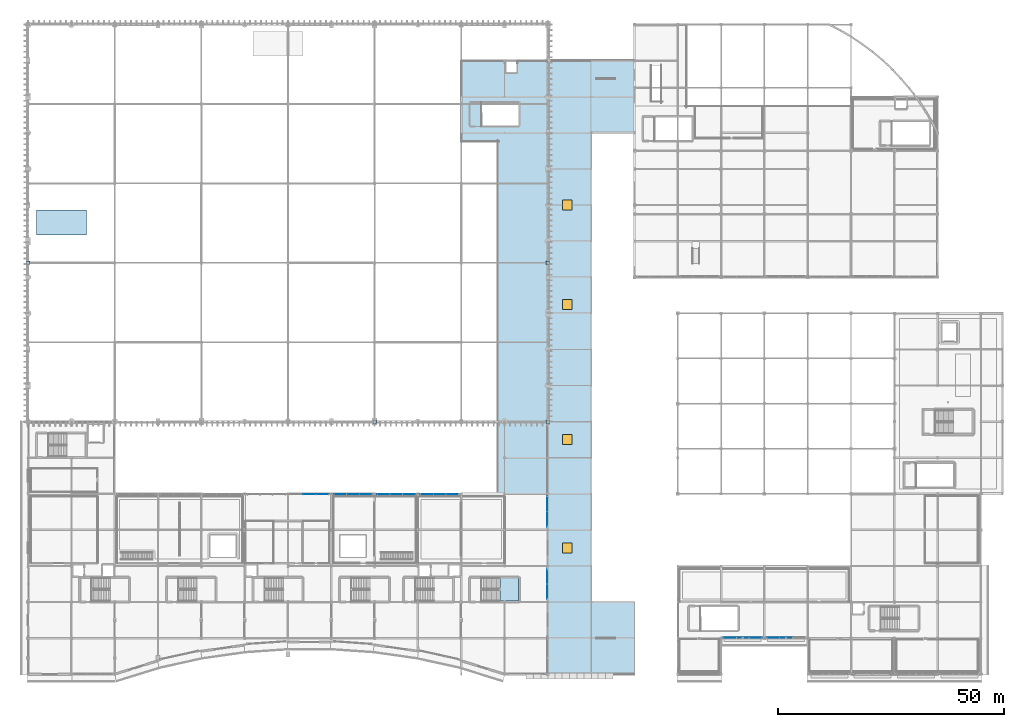
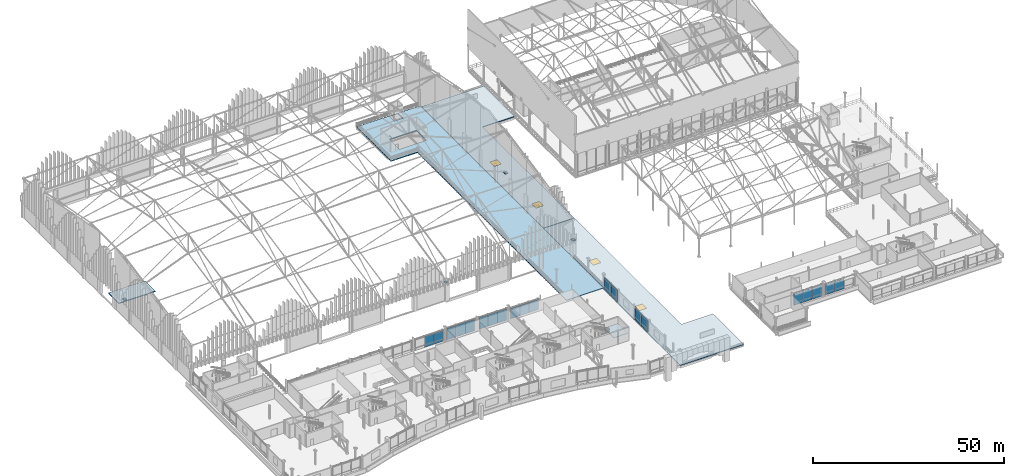
# One storey, part 146 of 193: 24 plates, 5 slabs, 4 windows, 4 openings, 9 elements without a shape of their own.
"""IFC4 building model written with IfcOpenShell, lengths in metres."""

from ifc_helpers import new_model, si_unit, direction, frame, origin, origin_2d, place, context, subcontext, project, spatial, polyline, rectangle, outline, extrude, material, layer, layer_set, type_object, element, fill, aggregate, save


model = new_model("IFC4")

# Units and contexts
model_context = context("Model", 3, precision=1e-05, world=origin(), true_north=direction((0.0, 1.0)))
body_context = subcontext(model_context, "Body", "Model", "MODEL_VIEW")
ifc_project = project(units=[si_unit("LENGTHUNIT", "METRE"), si_unit("AREAUNIT", "SQUARE_METRE"), si_unit("VOLUMEUNIT", "CUBIC_METRE"), si_unit("PLANEANGLEUNIT", "RADIAN"), si_unit("MASSUNIT", "GRAM", prefix="KILO")], contexts=[model_context])

# Site, building, storey
site_placement = place(None, origin())
site = spatial("IfcSite", under=ifc_project, at=site_placement, CompositionType="ELEMENT")
building_placement = place(site_placement, origin())
building = spatial("IfcBuilding", under=site, at=building_placement, Name="Danafjord Basin Convention Centre", CompositionType="ELEMENT")
storey_placement = place(building_placement, frame((0.0, 0.0, 11.39990234375)))
storey = spatial("IfcBuildingStorey", under=building, at=storey_placement, Name="L02", CompositionType="ELEMENT", Elevation=11.39990234375)

# Plates
ifc_material_1 = material(Name="Steel S355", Category="steel")
ifc_layer_1 = layer(ifc_material_1, 0.06494140625)
ifc_layer_set_1 = layer_set([ifc_layer_1], Name="Steel S355")
plate_type_1 = type_object("IfcPlateType", Name="PLT-BP-65", PredefinedType="SHEET", material=ifc_layer_set_1)
for number, where, z_axis, x_axis, name in (
    (1, (0.0, 91.199951171875, 5.667724609375), (0.0, 0.0, 1.0), (1.0, 0.0, 0.0), "V1 space-frame ring bearing plate"),
    (2, (76.800048828125, 56.0, 5.667724609375), (0.0, 0.0, 1.0), (1.0, 0.0, 0.0), "V1 space-frame ring bearing plate"),
    (3, (115.199951171875, 56.0, 5.667724609375), (0.0, 0.0, 1.0), (1.0, 0.0, 0.0), "V1 space-frame ring bearing plate"),
    (4, (115.199951171875, 91.199951171875, 5.667724609375), (0.0, 0.0, 1.0), (1.0, 0.0, 0.0), "V1 space-frame ring bearing plate"),
):
    element("IfcPlate", number, at=place(storey_placement, frame(where, z_axis=z_axis, x_axis=x_axis)), inside=storey, type_object=plate_type_1, Name=name, PredefinedType="SHEET", context=body_context, shape_type="SweptSolid", body=[
        extrude(rectangle(XDim=0.75, YDim=0.75, at=origin_2d()), origin(), (0.0, 0.0, 1.0), 0.06494140625),
    ])

# Curtain wall, plates
ifc_material_2 = material(Name="Anodised aluminium and triple glazing", Category="aluminium")
curtain_wall_type_1 = type_object("IfcCurtainWallType", Name="CW-CW-TERR", PredefinedType="NOTDEFINED", material=ifc_material_2)
curtain_wall_1_placement = place(storey_placement, origin())
curtain_wall_1 = element("IfcCurtainWall", 5, at=curtain_wall_1_placement, inside=storey, type_object=curtain_wall_type_1, Name="L02 CW-TERR unitised curtain wall bay 66", PredefinedType="NOTDEFINED")
ifc_material_3 = material(Name="Triple low-E insulated glazing", Category="glass")
ifc_layer_2 = layer(ifc_material_3, 0.0380859375)
ifc_layer_set_2 = layer_set([ifc_layer_2], Name="Triple low-E insulated glazing")
plate_type_2 = type_object("IfcPlateType", Name="PLT-GP-38", PredefinedType="CURTAIN_PANEL", material=ifc_layer_set_2)
plate_1_placement = place(storey_placement, frame((74.800048828125, 39.8798828125, 0.087890625), z_axis=(0.0, 0.0, 1.0), x_axis=(-1.0, 0.0, 0.0)))
plate_1 = element("IfcPlate", 6, at=plate_1_placement, type_object=plate_type_2, Name="CW-L02-066 vision glazing unit 1", PredefinedType="CURTAIN_PANEL", context=body_context, shape_type="SweptSolid", body=[
    extrude(rectangle(XDim=2.743896484375, YDim=0.0380859375, at=origin_2d()), origin(), (0.0, 0.0, 1.0), 3.674072265625),
])
plate_2_placement = place(storey_placement, frame((72.0, 39.8798828125, 0.087890625), z_axis=(0.0, 0.0, 1.0), x_axis=(-1.0, 0.0, 0.0)))
plate_2 = element("IfcPlate", 7, at=plate_2_placement, type_object=plate_type_2, Name="CW-L02-066 vision glazing unit 2", PredefinedType="CURTAIN_PANEL", context=body_context, shape_type="SweptSolid", body=[
    extrude(rectangle(XDim=2.743896484375, YDim=0.0380859375, at=origin_2d()), origin(), (0.0, 0.0, 1.0), 3.674072265625),
])
plate_3_placement = place(storey_placement, frame((69.199951171875, 39.8798828125, 0.087890625), z_axis=(0.0, 0.0, 1.0), x_axis=(-1.0, 0.0, 0.0)))
plate_3 = element("IfcPlate", 8, at=plate_3_placement, type_object=plate_type_2, Name="CW-L02-066 vision glazing unit 3", PredefinedType="CURTAIN_PANEL", context=body_context, shape_type="SweptSolid", body=[
    extrude(rectangle(XDim=2.743896484375, YDim=0.0380859375, at=origin_2d()), origin(), (0.0, 0.0, 1.0), 3.674072265625),
])
aggregate(curtain_wall_1, [plate_1, plate_2, plate_3])

curtain_wall_2_placement = place(storey_placement, origin())
curtain_wall_2 = element("IfcCurtainWall", 9, at=curtain_wall_2_placement, inside=storey, type_object=curtain_wall_type_1, Name="L02 CW-TERR unitised curtain wall bay 68", PredefinedType="NOTDEFINED")
plate_4_placement = place(storey_placement, frame((94.0, 39.8798828125, 0.088134765625), z_axis=(0.0, 0.0, 1.0), x_axis=(-1.0, 0.0, 0.0)))
plate_4 = element("IfcPlate", 10, at=plate_4_placement, type_object=plate_type_2, Name="CW-L02-068 vision glazing unit 1", PredefinedType="CURTAIN_PANEL", context=body_context, shape_type="SweptSolid", body=[
    extrude(rectangle(XDim=2.743896484375, YDim=0.0380859375, at=origin_2d()), origin(), (0.0, 0.0, 1.0), 3.27392578125),
])
plate_5_placement = place(storey_placement, frame((91.199951171875, 39.8798828125, 0.088134765625), z_axis=(0.0, 0.0, 1.0), x_axis=(-1.0, 0.0, 0.0)))
plate_5 = element("IfcPlate", 11, at=plate_5_placement, type_object=plate_type_2, Name="CW-L02-068 vision glazing unit 2", PredefinedType="CURTAIN_PANEL", context=body_context, shape_type="SweptSolid", body=[
    extrude(rectangle(XDim=2.743896484375, YDim=0.0380859375, at=origin_2d()), origin(), (0.0, 0.0, 1.0), 3.27392578125),
])
plate_6_placement = place(storey_placement, frame((88.39990234375, 39.8798828125, 0.088134765625), z_axis=(0.0, 0.0, 1.0), x_axis=(-1.0, 0.0, 0.0)))
plate_6 = element("IfcPlate", 12, at=plate_6_placement, type_object=plate_type_2, Name="CW-L02-068 vision glazing unit 3", PredefinedType="CURTAIN_PANEL", context=body_context, shape_type="SweptSolid", body=[
    extrude(rectangle(XDim=2.743896484375, YDim=0.0380859375, at=origin_2d()), origin(), (0.0, 0.0, 1.0), 3.27392578125),
])
aggregate(curtain_wall_2, [plate_4, plate_5, plate_6])

curtain_wall_3_placement = place(storey_placement, origin())
curtain_wall_3 = element("IfcCurtainWall", 13, at=curtain_wall_3_placement, inside=storey, type_object=curtain_wall_type_1, Name="L02 CW-TERR unitised curtain wall bay 72", PredefinedType="NOTDEFINED")
plate_7_placement = place(storey_placement, frame((115.080078125, 18.300048828125, 0.087890625), z_axis=(0.0, 0.0, 1.0), x_axis=(0.0, 1.0, 0.0)))
plate_7 = element("IfcPlate", 14, at=plate_7_placement, type_object=plate_type_2, Name="CW-L02-072 vision glazing unit 1", PredefinedType="CURTAIN_PANEL", context=body_context, shape_type="SweptSolid", body=[
    extrude(rectangle(XDim=3.343994140625, YDim=0.0380859375, at=origin_2d()), origin(), (0.0, 0.0, 1.0), 3.674072265625),
])
plate_8_placement = place(storey_placement, frame((115.080078125, 21.699951171875, 0.087890625), z_axis=(0.0, 0.0, 1.0), x_axis=(0.0, 1.0, 0.0)))
plate_8 = element("IfcPlate", 15, at=plate_8_placement, type_object=plate_type_2, Name="CW-L02-072 vision glazing unit 2", PredefinedType="CURTAIN_PANEL", context=body_context, shape_type="SweptSolid", body=[
    extrude(rectangle(XDim=3.343994140625, YDim=0.0380859375, at=origin_2d()), origin(), (0.0, 0.0, 1.0), 3.674072265625),
])
aggregate(curtain_wall_3, [plate_7, plate_8])

curtain_wall_type_2 = type_object("IfcCurtainWallType", Name="CW-CW-HARB", PredefinedType="NOTDEFINED", material=ifc_material_2)
curtain_wall_4_placement = place(storey_placement, origin())
curtain_wall_4 = element("IfcCurtainWall", 16, at=curtain_wall_4_placement, inside=storey, type_object=curtain_wall_type_2, Name="L02 CW-HARB unitised curtain wall bay 148", PredefinedType="NOTDEFINED")
plate_9_placement = place(storey_placement, frame((165.199951171875, 8.1201171875, 0.087890625), z_axis=(0.0, 0.0, 1.0), x_axis=(1.0, 0.0, 0.0)))
plate_9 = element("IfcPlate", 17, at=plate_9_placement, type_object=plate_type_2, Name="CW-L02-148 vision glazing unit 1", PredefinedType="CURTAIN_PANEL", context=body_context, shape_type="SweptSolid", body=[
    extrude(rectangle(XDim=2.743896484375, YDim=0.0380859375, at=origin_2d()), origin(), (0.0, 0.0, 1.0), 3.280029296875),
])
plate_10_placement = place(storey_placement, frame((168.0, 8.1201171875, 0.087890625), z_axis=(0.0, 0.0, 1.0), x_axis=(1.0, 0.0, 0.0)))
plate_10 = element("IfcPlate", 18, at=plate_10_placement, type_object=plate_type_2, Name="CW-L02-148 vision glazing unit 2", PredefinedType="CURTAIN_PANEL", context=body_context, shape_type="SweptSolid", body=[
    extrude(rectangle(XDim=2.743896484375, YDim=0.0380859375, at=origin_2d()), origin(), (0.0, 0.0, 1.0), 3.280029296875),
])
aggregate(curtain_wall_4, [plate_9, plate_10])

curtain_wall_5_placement = place(storey_placement, origin())
curtain_wall_5 = element("IfcCurtainWall", 19, at=curtain_wall_5_placement, inside=storey, type_object=curtain_wall_type_1, Name="L02 CW-TERR unitised curtain wall bay 65", PredefinedType="NOTDEFINED")
ifc_layer_3 = layer(ifc_material_3, 0.048095703125)
ifc_layer_set_3 = layer_set([ifc_layer_3], Name="Triple low-E insulated glazing")
plate_type_3 = type_object("IfcPlateType", Name="PLT-GP-48", PredefinedType="CURTAIN_PANEL", material=ifc_layer_set_3)
plate_11_placement = place(storey_placement, frame((65.199951171875, 39.8798828125, 0.087890625), z_axis=(0.0, 0.0, 1.0), x_axis=(-1.0, 0.0, 0.0)))
plate_11 = element("IfcPlate", 20, at=plate_11_placement, type_object=plate_type_3, Name="CW-L02-065 vision glazing unit 1", PredefinedType="CURTAIN_PANEL", context=body_context, shape_type="SweptSolid", body=[
    extrude(rectangle(XDim=2.743896484375, YDim=0.048095703125, at=origin_2d()), origin(), (0.0, 0.0, 1.0), 3.424072265625),
])
plate_12_placement = place(storey_placement, frame((62.39990234375, 39.8798828125, 0.087890625), z_axis=(0.0, 0.0, 1.0), x_axis=(-1.0, 0.0, 0.0)))
plate_12 = element("IfcPlate", 21, at=plate_12_placement, type_object=plate_type_3, Name="CW-L02-065 vision glazing unit 2", PredefinedType="CURTAIN_PANEL", context=body_context, shape_type="SweptSolid", body=[
    extrude(rectangle(XDim=2.743896484375, YDim=0.048095703125, at=origin_2d()), origin(), (0.0, 0.0, 1.0), 3.424072265625),
])
aggregate(curtain_wall_5, [plate_11, plate_12])

curtain_wall_6_placement = place(storey_placement, origin())
curtain_wall_6 = element("IfcCurtainWall", 22, at=curtain_wall_6_placement, inside=storey, type_object=curtain_wall_type_1, Name="L02 CW-TERR unitised curtain wall bay 67", PredefinedType="NOTDEFINED")
plate_13_placement = place(storey_placement, frame((84.39990234375, 39.8798828125, 0.088134765625), z_axis=(0.0, 0.0, 1.0), x_axis=(-1.0, 0.0, 0.0)))
plate_13 = element("IfcPlate", 23, at=plate_13_placement, type_object=plate_type_3, Name="CW-L02-067 vision glazing unit 1", PredefinedType="CURTAIN_PANEL", context=body_context, shape_type="SweptSolid", body=[
    extrude(rectangle(XDim=2.743896484375, YDim=0.048095703125, at=origin_2d()), origin(), (0.0, 0.0, 1.0), 3.6240234375),
])
plate_14_placement = place(storey_placement, frame((81.60009765625, 39.8798828125, 0.088134765625), z_axis=(0.0, 0.0, 1.0), x_axis=(-1.0, 0.0, 0.0)))
plate_14 = element("IfcPlate", 24, at=plate_14_placement, type_object=plate_type_3, Name="CW-L02-067 vision glazing unit 2", PredefinedType="CURTAIN_PANEL", context=body_context, shape_type="SweptSolid", body=[
    extrude(rectangle(XDim=2.743896484375, YDim=0.048095703125, at=origin_2d()), origin(), (0.0, 0.0, 1.0), 3.6240234375),
])
plate_15_placement = place(storey_placement, frame((78.800048828125, 39.8798828125, 0.088134765625), z_axis=(0.0, 0.0, 1.0), x_axis=(-1.0, 0.0, 0.0)))
plate_15 = element("IfcPlate", 25, at=plate_15_placement, type_object=plate_type_3, Name="CW-L02-067 vision glazing unit 3", PredefinedType="CURTAIN_PANEL", context=body_context, shape_type="SweptSolid", body=[
    extrude(rectangle(XDim=2.743896484375, YDim=0.048095703125, at=origin_2d()), origin(), (0.0, 0.0, 1.0), 3.6240234375),
])
aggregate(curtain_wall_6, [plate_13, plate_14, plate_15])

curtain_wall_7_placement = place(storey_placement, origin())
curtain_wall_7 = element("IfcCurtainWall", 26, at=curtain_wall_7_placement, inside=storey, type_object=curtain_wall_type_1, Name="L02 CW-TERR unitised curtain wall bay 73", PredefinedType="NOTDEFINED")
plate_16_placement = place(storey_placement, frame((115.080078125, 34.300048828125, 0.087890625), z_axis=(0.0, 0.0, 1.0), x_axis=(0.0, 1.0, 0.0)))
plate_16 = element("IfcPlate", 27, at=plate_16_placement, type_object=plate_type_3, Name="CW-L02-073 vision glazing unit 1", PredefinedType="CURTAIN_PANEL", context=body_context, shape_type="SweptSolid", body=[
    extrude(rectangle(XDim=3.343994140625, YDim=0.048095703125, at=origin_2d()), origin(), (0.0, 0.0, 1.0), 3.658935546875),
])
plate_17_placement = place(storey_placement, frame((115.080078125, 37.699951171875, 0.087890625), z_axis=(0.0, 0.0, 1.0), x_axis=(0.0, 1.0, 0.0)))
plate_17 = element("IfcPlate", 28, at=plate_17_placement, type_object=plate_type_3, Name="CW-L02-073 vision glazing unit 2", PredefinedType="CURTAIN_PANEL", context=body_context, shape_type="SweptSolid", body=[
    extrude(rectangle(XDim=3.343994140625, YDim=0.048095703125, at=origin_2d()), origin(), (0.0, 0.0, 1.0), 3.658935546875),
])
aggregate(curtain_wall_7, [plate_16, plate_17])

curtain_wall_8_placement = place(storey_placement, origin())
curtain_wall_8 = element("IfcCurtainWall", 29, at=curtain_wall_8_placement, inside=storey, type_object=curtain_wall_type_2, Name="L02 CW-HARB unitised curtain wall bay 147", PredefinedType="NOTDEFINED")
plate_18_placement = place(storey_placement, frame((155.60009765625, 8.1201171875, 0.088134765625), z_axis=(0.0, 0.0, 1.0), x_axis=(1.0, 0.0, 0.0)))
plate_18 = element("IfcPlate", 30, at=plate_18_placement, type_object=plate_type_3, Name="CW-L02-147 vision glazing unit 1", PredefinedType="CURTAIN_PANEL", context=body_context, shape_type="SweptSolid", body=[
    extrude(rectangle(XDim=2.743896484375, YDim=0.048095703125, at=origin_2d()), origin(), (0.0, 0.0, 1.0), 3.6298828125),
])
plate_19_placement = place(storey_placement, frame((158.39990234375, 8.1201171875, 0.088134765625), z_axis=(0.0, 0.0, 1.0), x_axis=(1.0, 0.0, 0.0)))
plate_19 = element("IfcPlate", 31, at=plate_19_placement, type_object=plate_type_3, Name="CW-L02-147 vision glazing unit 2", PredefinedType="CURTAIN_PANEL", context=body_context, shape_type="SweptSolid", body=[
    extrude(rectangle(XDim=2.743896484375, YDim=0.048095703125, at=origin_2d()), origin(), (0.0, 0.0, 1.0), 3.6298828125),
])
plate_20_placement = place(storey_placement, frame((161.199951171875, 8.1201171875, 0.088134765625), z_axis=(0.0, 0.0, 1.0), x_axis=(1.0, 0.0, 0.0)))
plate_20 = element("IfcPlate", 32, at=plate_20_placement, type_object=plate_type_3, Name="CW-L02-147 vision glazing unit 3", PredefinedType="CURTAIN_PANEL", context=body_context, shape_type="SweptSolid", body=[
    extrude(rectangle(XDim=2.743896484375, YDim=0.048095703125, at=origin_2d()), origin(), (0.0, 0.0, 1.0), 3.6298828125),
])
aggregate(curtain_wall_8, [plate_18, plate_19, plate_20])

# Slab
ifc_material_4 = material(Name="Concrete C35/45", Category="concrete")
ifc_layer_4 = layer(ifc_material_4, 0.22998046875)
ifc_layer_set_4 = layer_set([ifc_layer_4], Name="Concrete C35/45")
slab_type_1 = type_object("IfcSlabType", Name="SLAB-FS-230", PredefinedType="FLOOR", material=ifc_layer_set_4)
slab_1_placement = place(storey_placement, frame((0.0, 0.0, -0.22998046875)))
element("IfcSlab", 33, at=slab_1_placement, inside=storey, type_object=slab_type_1, Name="L02 FS-230 slab SL-L02-V1C5", PredefinedType="FLOOR", context=body_context, shape_type="SweptSolid", body=[
    extrude(outline(polyline([(96.0, 118.0), (96.0, 136.0), (115.199951171875, 136.0), (115.199951171875, 40.0), (104.0, 40.0), (104.0, 118.0), (96.0, 118.0)]), holes=[polyline([(108.72998046875, 121.56005859375), (108.72998046875, 126.699951171875), (100.530029296875, 126.699951171875), (100.530029296875, 121.56005859375), (108.72998046875, 121.56005859375)]), polyline([(108.39990234375, 135.89990234375), (105.800048828125, 135.89990234375), (105.800048828125, 133.300048828125), (108.39990234375, 133.300048828125), (108.39990234375, 135.89990234375)])]), origin(), (0.0, 0.0, 1.0), 0.22998046875),
])

# Stair, slab
ifc_material_5 = material(Name="Concrete C40/50", Category="concrete")
stair_type = type_object("IfcStairType", Name="STAIR-STR-C01", PredefinedType="TWO_STRAIGHT_RUN_STAIR", material=ifc_material_5)
stair_placement = place(storey_placement, origin())
stair = element("IfcStair", 34, at=stair_placement, inside=storey, type_object=stair_type, Name="L02 East Harbour Escape Stair 2", PredefinedType="HALF_TURN_STAIR")
ifc_layer_5 = layer(ifc_material_5, 0.199951171875)
ifc_layer_set_5 = layer_set([ifc_layer_5], Name="Concrete C40/50")
slab_type_2 = type_object("IfcSlabType", Name="SLAB-LAND-200", PredefinedType="LANDING", material=ifc_layer_set_5)
slab_2_placement = place(storey_placement, frame((0.0, 0.0, 2.050048828125)))
slab_2 = element("IfcSlab", 35, at=slab_2_placement, type_object=slab_type_2, Name="ST-04 landing 1", PredefinedType="LANDING", context=body_context, shape_type="SweptSolid", body=[
    extrude(outline(polyline([(104.544921875, 16.2099609375), (108.72998046875, 16.2099609375), (108.72998046875, 21.35009765625), (104.544921875, 21.35009765625), (104.544921875, 16.2099609375)])), origin(), (0.0, 0.0, 1.0), 0.199951171875),
])
aggregate(stair, [slab_2])

# Slab, openings, windows
ifc_layer_6 = layer(ifc_material_4, 0.2451171875)
ifc_layer_set_6 = layer_set([ifc_layer_6], Name="Concrete C35/45")
slab_type_3 = type_object("IfcSlabType", Name="SLAB-RF-240", PredefinedType="ROOF", material=ifc_layer_set_6)
slab_3_placement = place(storey_placement, frame((0.0, 0.0, -0.664794921875)))
slab_3 = element("IfcSlab", 36, at=slab_3_placement, inside=storey, type_object=slab_type_3, Name="L02 gravel maintenance flat roof slab RF-FLAT-V6S", PredefinedType="ROOF", context=body_context, shape_type="SweptSolid", body=[
    extrude(outline(polyline([(115.199951171875, 0.0), (115.199951171875, 72.0), (124.800048828125, 72.0), (124.800048828125, 16.0), (134.39990234375, 16.0), (134.39990234375, 0.0), (115.199951171875, 0.0)])), origin(), (0.0, 0.0, 1.0), 0.244873046875),
])
opening_1_placement = place(slab_3_placement, frame((119.5, 28.0, -0.010009765625)))
opening_1 = element("IfcOpeningElement", 37, at=opening_1_placement, cuts=slab_3, Name="Opening SK-01", PredefinedType="OPENING", context=body_context, shape_type="SweptSolid", body=[
    extrude(rectangle(XDim=2.199951171875, YDim=2.199951171875, at=origin_2d()), origin(), (0.0, 0.0, 1.0), 0.264892578125),
])
opening_2_placement = place(slab_3_placement, frame((119.5, 52.0, -0.010009765625)))
opening_2 = element("IfcOpeningElement", 38, at=opening_2_placement, cuts=slab_3, Name="Opening SK-01", PredefinedType="OPENING", context=body_context, shape_type="SweptSolid", body=[
    extrude(rectangle(XDim=2.199951171875, YDim=2.199951171875, at=origin_2d()), origin(), (0.0, 0.0, 1.0), 0.264892578125),
])
ifc_material_6 = material(Name="Thermally broken aluminium and triple low-E glass", Category="aluminium")
window_type = type_object("IfcWindowType", Name="WIN-SK-01", PartitioningType="SINGLE_PANEL", PredefinedType="LIGHTDOME", material=ifc_material_6)
window_1_placement = place(slab_3_placement, frame((119.5, 28.0, 0.19482421875)))
window_1 = element("IfcWindow", 39, at=window_1_placement, inside=storey, type_object=window_type, Name="L02 roof skylight SK-01 1", OverallHeight=2.199951171875, OverallWidth=2.199951171875, PartitioningType="SINGLE_PANEL", PredefinedType="LIGHTDOME", context=body_context, shape_type="SweptSolid", body=[
    extrude(rectangle(XDim=2.199951171875, YDim=2.199951171875, at=origin_2d()), origin(), (0.0, 0.0, 1.0), 0.050048828125),
])
fill(opening_1, window_1)
window_2_placement = place(slab_3_placement, frame((119.5, 52.0, 0.19482421875)))
window_2 = element("IfcWindow", 40, at=window_2_placement, inside=storey, type_object=window_type, Name="L02 roof skylight SK-01 2", OverallHeight=2.199951171875, OverallWidth=2.199951171875, PartitioningType="SINGLE_PANEL", PredefinedType="LIGHTDOME", context=body_context, shape_type="SweptSolid", body=[
    extrude(rectangle(XDim=2.199951171875, YDim=2.199951171875, at=origin_2d()), origin(), (0.0, 0.0, 1.0), 0.050048828125),
])
fill(opening_2, window_2)

slab_4_placement = place(storey_placement, frame((0.0, 0.0, -0.664794921875)))
slab_4 = element("IfcSlab", 41, at=slab_4_placement, inside=storey, type_object=slab_type_3, Name="L02 gravel maintenance flat roof slab RF-FLAT-V6N", PredefinedType="ROOF", context=body_context, shape_type="SweptSolid", body=[
    extrude(outline(polyline([(115.199951171875, 72.0), (115.199951171875, 136.0), (134.39990234375, 136.0), (134.39990234375, 120.0), (124.800048828125, 120.0), (124.800048828125, 72.0), (115.199951171875, 72.0)])), origin(), (0.0, 0.0, 1.0), 0.244873046875),
])
opening_3_placement = place(slab_4_placement, frame((119.5, 82.0, -0.010009765625)))
opening_3 = element("IfcOpeningElement", 42, at=opening_3_placement, cuts=slab_4, Name="Opening SK-01", PredefinedType="OPENING", context=body_context, shape_type="SweptSolid", body=[
    extrude(rectangle(XDim=2.199951171875, YDim=2.199951171875, at=origin_2d()), origin(), (0.0, 0.0, 1.0), 0.264892578125),
])
opening_4_placement = place(slab_4_placement, frame((119.5, 104.0, -0.010009765625)))
opening_4 = element("IfcOpeningElement", 43, at=opening_4_placement, cuts=slab_4, Name="Opening SK-01", PredefinedType="OPENING", context=body_context, shape_type="SweptSolid", body=[
    extrude(rectangle(XDim=2.199951171875, YDim=2.199951171875, at=origin_2d()), origin(), (0.0, 0.0, 1.0), 0.264892578125),
])
window_3_placement = place(slab_4_placement, frame((119.5, 82.0, 0.19482421875)))
window_3 = element("IfcWindow", 44, at=window_3_placement, inside=storey, type_object=window_type, Name="L02 roof skylight SK-01 3", OverallHeight=2.199951171875, OverallWidth=2.199951171875, PartitioningType="SINGLE_PANEL", PredefinedType="LIGHTDOME", context=body_context, shape_type="SweptSolid", body=[
    extrude(rectangle(XDim=2.199951171875, YDim=2.199951171875, at=origin_2d()), origin(), (0.0, 0.0, 1.0), 0.050048828125),
])
fill(opening_3, window_3)
window_4_placement = place(slab_4_placement, frame((119.5, 104.0, 0.19482421875)))
window_4 = element("IfcWindow", 45, at=window_4_placement, inside=storey, type_object=window_type, Name="L02 roof skylight SK-01 4", OverallHeight=2.199951171875, OverallWidth=2.199951171875, PartitioningType="SINGLE_PANEL", PredefinedType="LIGHTDOME", context=body_context, shape_type="SweptSolid", body=[
    extrude(rectangle(XDim=2.199951171875, YDim=2.199951171875, at=origin_2d()), origin(), (0.0, 0.0, 1.0), 0.050048828125),
])
fill(opening_4, window_4)

# Slab
slab_5_placement = place(storey_placement, frame((0.0, 0.0, -0.244873046875)))
element("IfcSlab", 46, at=slab_5_placement, inside=storey, type_object=slab_type_3, Name="West Exhibition Perimeter Stair gravel maintenance shaft cap", PredefinedType="ROOF", context=body_context, shape_type="SweptSolid", body=[
    extrude(outline(polyline([(1.85009765625, 97.39990234375), (12.889892578125, 97.39990234375), (12.889892578125, 102.860107421875), (1.85009765625, 102.860107421875), (1.85009765625, 97.39990234375)])), origin(), (0.0, 0.0, 1.0), 0.244873046875),
])

save(model, "model.ifc")
